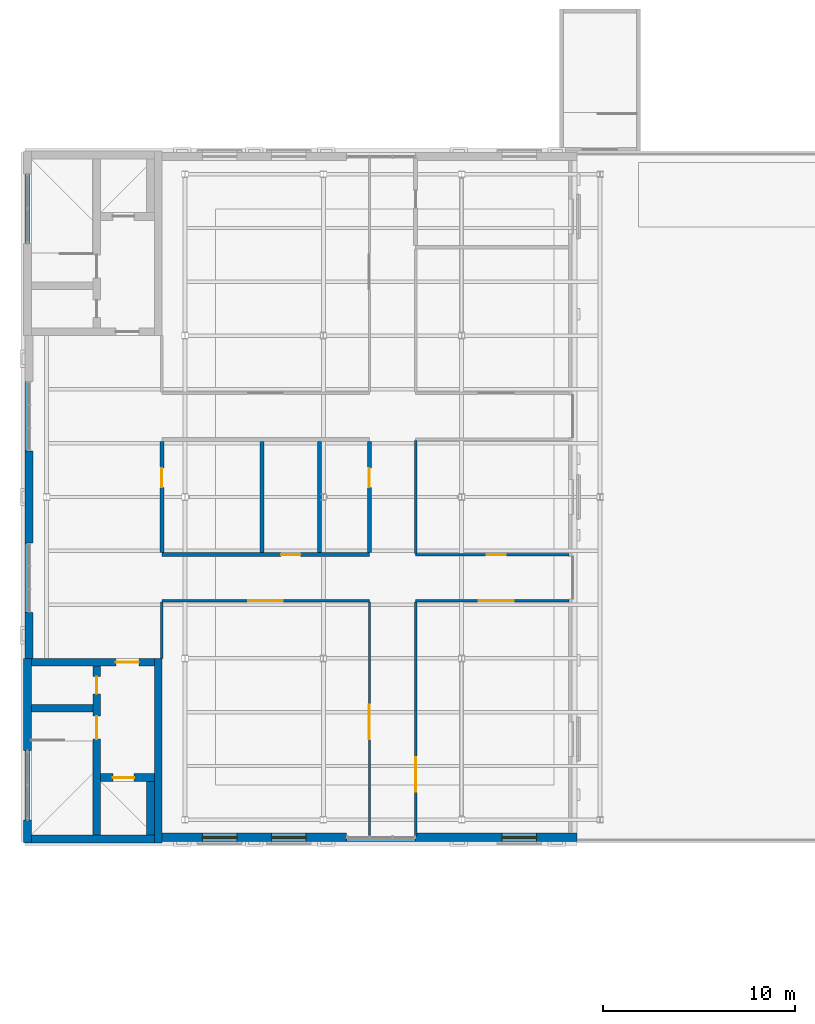
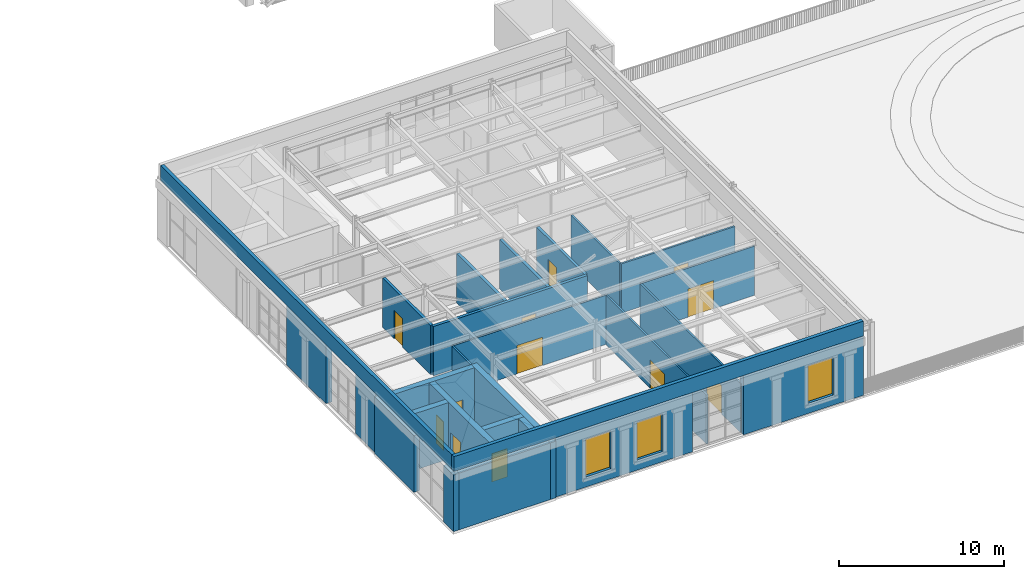
# One storey, part 71 of 127: 27 walls, 12 doors, 3 windows, 15 openings.
"""IFC4 building model written with IfcOpenShell, lengths in metres."""

from ifc_helpers import new_model, si_unit, direction, frame, frame_2d, origin, place, context, subcontext, project, spatial, rectangle, extrude, material, layer, layer_set, type_object, element, fill, save


model = new_model("IFC4")

# Units and contexts
model_context = context("Model", 3, precision=1e-05, world=origin(), true_north=direction((0.0, 1.0)))
body_context = subcontext(model_context, "Body", "Model", "MODEL_VIEW")
ifc_project = project(units=[si_unit("LENGTHUNIT", "METRE"), si_unit("AREAUNIT", "SQUARE_METRE"), si_unit("VOLUMEUNIT", "CUBIC_METRE"), si_unit("PLANEANGLEUNIT", "RADIAN"), si_unit("MASSUNIT", "GRAM", prefix="KILO")], contexts=[model_context])

# Site, building, storey
site_placement = place(None, origin())
site = spatial("IfcSite", under=ifc_project, at=site_placement, CompositionType="ELEMENT")
building_placement = place(site_placement, origin())
building = spatial("IfcBuilding", under=site, at=building_placement, Name="Verrick Yard Athletic Hall", CompositionType="ELEMENT")
storey_placement = place(building_placement, frame((0.0, 0.0, 14.0)))
storey = spatial("IfcBuildingStorey", under=building, at=storey_placement, Name="L03", CompositionType="ELEMENT", Elevation=14.0)

# Wall, openings, doors
ifc_material_1 = material(Name="Concrete 35 MPa", Category="concrete")
ifc_layer_1 = layer(ifc_material_1, 0.39990234375)
ifc_layer_set_1 = layer_set([ifc_layer_1], Name="Core wall CR400")
wall_type_1 = type_object("IfcWallType", Name="Core wall CR400", PredefinedType="SHEAR", material=ifc_layer_set_1)
wall_1_placement = place(storey_placement, frame((13.800048828125, 18.39990234375, 0.0), z_axis=(0.0, 0.0, 1.0), x_axis=(0.0, 1.0, 0.0)))
wall_1 = element("IfcWall", 1, at=wall_1_placement, inside=storey, type_object=wall_type_1, Name="CORE-CB1-WP-L03", PredefinedType="SHEAR", context=body_context, shape_type="SweptSolid", body=[
    extrude(rectangle(XDim=8.800048828125, YDim=0.39990234375, at=frame_2d((4.39990234375, 0.0))), origin(), (0.0, 0.0, 1.0), 4.199951171875),
])
opening_1_placement = place(wall_1_placement, frame((5.0, 0.0, 0.0)))
opening_1 = element("IfcOpeningElement", 2, at=opening_1_placement, cuts=wall_1, Name="Opening SD1", PredefinedType="OPENING", context=body_context, shape_type="SweptSolid", body=[
    extrude(rectangle(XDim=1.199951171875, YDim=2.10009765625, at=frame_2d((0.60009765625, 1.050048828125))), frame((0.0, 0.2099609375, 0.0), z_axis=(0.0, -1.0, 0.0), x_axis=(1.0, 0.0, 0.0)), (0.0, 0.0, 1.0), 0.419921875),
])
opening_2_placement = place(wall_1_placement, frame((7.35009765625, 0.0, 0.0)))
opening_2 = element("IfcOpeningElement", 3, at=opening_2_placement, cuts=wall_1, Name="Opening RD1", PredefinedType="OPENING", context=body_context, shape_type="SweptSolid", body=[
    extrude(rectangle(XDim=0.89990234375, YDim=2.10009765625, at=frame_2d((0.449951171875, 1.050048828125))), frame((0.0, 0.2099609375, 0.0), z_axis=(0.0, -1.0, 0.0), x_axis=(1.0, 0.0, 0.0)), (0.0, 0.0, 1.0), 0.419921875),
])
ifc_material_2 = material(Name="Hollow metal door leaf")
door_type_1 = type_object("IfcDoorType", Name="Core door RD1 900x2100", OperationType="NOTDEFINED", PredefinedType="DOOR", material=ifc_material_2)
door_1_placement = place(opening_2_placement, origin())
door_1 = element("IfcDoor", 4, at=door_1_placement, inside=storey, type_object=door_type_1, Name="CORE-CB1-WP-L03-DRD1-2620", OperationType="SINGLE_SWING_LEFT", OverallHeight=2.10009765625, OverallWidth=0.89990234375, PredefinedType="DOOR", context=body_context, shape_type="SweptSolid", body=[
    extrude(rectangle(XDim=0.89990234375, YDim=2.10009765625, at=frame_2d((0.449951171875, 1.050048828125))), frame((0.0, 0.02490234375, 0.0), z_axis=(0.0, -1.0, 0.0), x_axis=(1.0, 0.0, 0.0)), (0.0, 0.0, 1.0), 0.050048828125),
])
fill(opening_2, door_1)
door_type_2 = type_object("IfcDoorType", Name="Core door SD1 1200x2100", OperationType="NOTDEFINED", PredefinedType="DOOR", material=ifc_material_2)
door_2_placement = place(opening_1_placement, origin())
door_2 = element("IfcDoor", 5, at=door_2_placement, inside=storey, type_object=door_type_2, Name="CORE-CB1-WP-L03-DSD1-2400", OperationType="SINGLE_SWING_LEFT", OverallHeight=2.10009765625, OverallWidth=1.199951171875, PredefinedType="DOOR", context=body_context, shape_type="SweptSolid", body=[
    extrude(rectangle(XDim=1.199951171875, YDim=2.10009765625, at=frame_2d((0.60009765625, 1.050048828125))), frame((0.0, 0.02490234375, 0.0), z_axis=(0.0, -1.0, 0.0), x_axis=(1.0, 0.0, 0.0)), (0.0, 0.0, 1.0), 0.050048828125),
])
fill(opening_1, door_2)

# Wall
wall_2_placement = place(storey_placement, frame((10.39990234375, 25.0, 0.0), z_axis=(0.0, 0.0, 1.0), x_axis=(1.0, 0.0, 0.0)))
element("IfcWall", 6, at=wall_2_placement, inside=storey, type_object=wall_type_1, Name="CORE-CB1-WSN-L03", PredefinedType="SHEAR", context=body_context, shape_type="SweptSolid", body=[
    extrude(rectangle(XDim=3.2001953125, YDim=0.39990234375, at=frame_2d((1.60009765625, 0.0))), origin(), (0.0, 0.0, 1.0), 4.199951171875),
])

# Wall, opening, door
wall_3_placement = place(storey_placement, frame((14.0, 21.39990234375, 0.0), z_axis=(0.0, 0.0, 1.0), x_axis=(1.0, 0.0, 0.0)))
wall_3 = element("IfcWall", 7, at=wall_3_placement, inside=storey, type_object=wall_type_1, Name="CORE-CB1-WLN-L03", PredefinedType="SHEAR", context=body_context, shape_type="SweptSolid", body=[
    extrude(rectangle(XDim=2.800048828125, YDim=0.39990234375, at=frame_2d((1.39990234375, 0.0))), origin(), (0.0, 0.0, 1.0), 4.199951171875),
])
opening_3_placement = place(wall_3_placement, frame((0.64990234375, 0.0, 0.0)))
opening_3 = element("IfcOpeningElement", 8, at=opening_3_placement, cuts=wall_3, Name="Opening LD", PredefinedType="OPENING", context=body_context, shape_type="SweptSolid", body=[
    extrude(rectangle(XDim=1.10009765625, YDim=2.10009765625, at=frame_2d((0.550048828125, 1.050048828125))), frame((0.0, 0.2099609375, 0.0), z_axis=(0.0, -1.0, 0.0), x_axis=(1.0, 0.0, 0.0)), (0.0, 0.0, 1.0), 0.419921875),
])
ifc_material_3 = material(Name="Stainless steel landing door", Category="steel")
door_type_3 = type_object("IfcDoorType", Name="Lift landing door LD 1100x2100", OperationType="NOTDEFINED", PredefinedType="DOOR", material=ifc_material_3)
door_3_placement = place(opening_3_placement, origin())
door_3 = element("IfcDoor", 9, at=door_3_placement, inside=storey, type_object=door_type_3, Name="Lift landing door", OperationType="SLIDING_TO_LEFT", OverallHeight=2.10009765625, OverallWidth=1.10009765625, PredefinedType="DOOR", context=body_context, shape_type="SweptSolid", body=[
    extrude(rectangle(XDim=1.10009765625, YDim=2.10009765625, at=frame_2d((0.550048828125, 1.050048828125))), frame((0.0, 0.02490234375, 0.0), z_axis=(0.0, -1.0, 0.0), x_axis=(1.0, 0.0, 0.0)), (0.0, 0.0, 1.0), 0.050048828125),
])
fill(opening_3, door_3)

# Walls
wall_4_placement = place(storey_placement, frame((16.60009765625, 18.39990234375, 0.0), z_axis=(0.0, 0.0, 1.0), x_axis=(0.0, 1.0, 0.0)))
element("IfcWall", 10, at=wall_4_placement, inside=storey, type_object=wall_type_1, Name="CORE-CB1-WLE-L03", PredefinedType="SHEAR", context=body_context, shape_type="SweptSolid", body=[
    extrude(rectangle(XDim=2.800048828125, YDim=0.39990234375, at=frame_2d((1.39990234375, 0.0))), origin(), (0.0, 0.0, 1.0), 4.199951171875),
])
ifc_layer_2 = layer(ifc_material_1, 0.39990234375)
ifc_layer_set_2 = layer_set([ifc_layer_2], Name="External core wall CR400")
wall_type_2 = type_object("IfcWallType", Name="External core wall CR400", PredefinedType="SHEAR", material=ifc_layer_set_2)
wall_5_placement = place(storey_placement, frame((10.199951171875, 18.0, 0.0), z_axis=(0.0, 0.0, 1.0), x_axis=(0.0, 1.0, 0.0)))
element("IfcWall", 11, at=wall_5_placement, inside=storey, type_object=wall_type_2, Name="CORE-CB1-WW-L03-0", PredefinedType="SHEAR", context=body_context, shape_type="SweptSolid", body=[
    extrude(rectangle(XDim=1.199951171875, YDim=0.39990234375, at=frame_2d((0.60009765625, 0.0))), origin(), (0.0, 0.0, 1.0), 4.199951171875),
])
wall_6_placement = place(storey_placement, frame((10.199951171875, 22.800048828125, 0.0), z_axis=(0.0, 0.0, 1.0), x_axis=(0.0, 1.0, 0.0)))
element("IfcWall", 12, at=wall_6_placement, inside=storey, type_object=wall_type_2, Name="CORE-CB1-WW-L03-1", PredefinedType="SHEAR", context=body_context, shape_type="SweptSolid", body=[
    extrude(rectangle(XDim=4.800048828125, YDim=0.39990234375, at=frame_2d((2.39990234375, 0.0))), origin(), (0.0, 0.0, 1.0), 4.199951171875),
])
wall_7_placement = place(storey_placement, frame((17.0, 18.0, 0.0), z_axis=(0.0, 0.0, 1.0), x_axis=(0.0, 1.0, 0.0)))
element("IfcWall", 13, at=wall_7_placement, inside=storey, type_object=wall_type_2, Name="CORE-CB1-WE-L03", PredefinedType="SHEAR", context=body_context, shape_type="SweptSolid", body=[
    extrude(rectangle(XDim=9.60009765625, YDim=0.39990234375, at=frame_2d((4.800048828125, 0.0))), origin(), (0.0, 0.0, 1.0), 4.199951171875),
])
wall_8_placement = place(storey_placement, frame((10.39990234375, 18.199951171875, 0.0), z_axis=(0.0, 0.0, 1.0), x_axis=(1.0, 0.0, 0.0)))
element("IfcWall", 14, at=wall_8_placement, inside=storey, type_object=wall_type_2, Name="CORE-CB1-WS-L03", PredefinedType="SHEAR", context=body_context, shape_type="SweptSolid", body=[
    extrude(rectangle(XDim=6.400146484375, YDim=0.39990234375, at=frame_2d((3.2001953125, 0.0))), origin(), (0.0, 0.0, 1.0), 4.199951171875),
])

# Wall, opening, door
wall_9_placement = place(storey_placement, frame((10.39990234375, 27.39990234375, 0.0), z_axis=(0.0, 0.0, 1.0), x_axis=(1.0, 0.0, 0.0)))
wall_9 = element("IfcWall", 15, at=wall_9_placement, inside=storey, type_object=wall_type_2, Name="CORE-CB1-WN-L03", PredefinedType="SHEAR", context=body_context, shape_type="SweptSolid", body=[
    extrude(rectangle(XDim=6.400146484375, YDim=0.39990234375, at=frame_2d((3.2001953125, 0.0))), origin(), (0.0, 0.0, 1.0), 4.199951171875),
])
opening_4_placement = place(wall_9_placement, frame((4.39990234375, 0.0, 0.0)))
opening_4 = element("IfcOpeningElement", 16, at=opening_4_placement, cuts=wall_9, Name="Opening LB1", PredefinedType="OPENING", context=body_context, shape_type="SweptSolid", body=[
    extrude(rectangle(XDim=1.199951171875, YDim=2.10009765625, at=frame_2d((0.60009765625, 1.050048828125))), frame((0.0, 0.2099609375, 0.0), z_axis=(0.0, -1.0, 0.0), x_axis=(1.0, 0.0, 0.0)), (0.0, 0.0, 1.0), 0.419921875),
])
door_type_4 = type_object("IfcDoorType", Name="Core door LB1 1200x2100", OperationType="NOTDEFINED", PredefinedType="DOOR", material=ifc_material_2)
door_4_placement = place(opening_4_placement, origin())
door_4 = element("IfcDoor", 17, at=door_4_placement, inside=storey, type_object=door_type_4, Name="CORE-CB1-WN-L03-DLB1-1540", OperationType="SINGLE_SWING_LEFT", OverallHeight=2.10009765625, OverallWidth=1.199951171875, PredefinedType="DOOR", context=body_context, shape_type="SweptSolid", body=[
    extrude(rectangle(XDim=1.199951171875, YDim=2.10009765625, at=frame_2d((0.60009765625, 1.050048828125))), frame((0.0, 0.02490234375, 0.0), z_axis=(0.0, -1.0, 0.0), x_axis=(1.0, 0.0, 0.0)), (0.0, 0.0, 1.0), 0.050048828125),
])
fill(opening_4, door_4)

ifc_material_4 = material(Name="Concrete masonry block 15 MPa", Category="masonry")
ifc_layer_3 = layer(ifc_material_4, 0.199951171875)
ifc_layer_set_3 = layer_set([ifc_layer_3], Name="PW1 Block partition 200")
wall_type_3 = type_object("IfcWallType", Name="PW1 Block partition 200", PredefinedType="PARTITIONING", material=ifc_layer_set_3)
wall_10_placement = place(storey_placement, frame((17.199951171875, 33.0, 0.0), z_axis=(0.0, 0.0, 1.0), x_axis=(1.0, 0.0, 0.0)))
wall_10 = element("IfcWall", 18, at=wall_10_placement, inside=storey, type_object=wall_type_3, Name="Partition PW1", PredefinedType="PARTITIONING", context=body_context, shape_type="SweptSolid", body=[
    extrude(rectangle(XDim=10.800048828125, YDim=0.199951171875, at=frame_2d((5.39990234375, 0.0))), origin(), (0.0, 0.0, 1.0), 3.64990234375),
])
opening_5_placement = place(wall_10_placement, frame((6.199951171875, 0.0, 0.0)))
opening_5 = element("IfcOpeningElement", 19, at=opening_5_placement, cuts=wall_10, Name="Opening D1", PredefinedType="OPENING", context=body_context, shape_type="SweptSolid", body=[
    extrude(rectangle(XDim=1.0, YDim=2.10009765625, at=frame_2d((0.5, 1.050048828125))), frame((0.0, 0.10986328125, 0.0), z_axis=(0.0, -1.0, 0.0), x_axis=(1.0, 0.0, 0.0)), (0.0, 0.0, 1.0), 0.219970703125),
])
ifc_material_5 = material(Name="Timber door leaf in steel frame", Category="steel")
door_type_5 = type_object("IfcDoorType", Name="D1 Single door 1000 x 2100", OperationType="NOTDEFINED", PredefinedType="DOOR", material=ifc_material_5)
door_5_placement = place(opening_5_placement, origin())
door_5 = element("IfcDoor", 20, at=door_5_placement, inside=storey, type_object=door_type_5, Name="D1 Accessible WC", OperationType="SINGLE_SWING_LEFT", OverallHeight=2.10009765625, OverallWidth=1.0, PredefinedType="DOOR", context=body_context, shape_type="SweptSolid", body=[
    extrude(rectangle(XDim=1.0, YDim=2.10009765625, at=frame_2d((0.5, 1.050048828125))), frame((0.0, 0.02490234375, 0.0), z_axis=(0.0, -1.0, 0.0), x_axis=(1.0, 0.0, 0.0)), (0.0, 0.0, 1.0), 0.050048828125),
])
fill(opening_5, door_5)

wall_11_placement = place(storey_placement, frame((17.199951171875, 33.10009765625, 0.0), z_axis=(0.0, 0.0, 1.0), x_axis=(0.0, 1.0, 0.0)))
wall_11 = element("IfcWall", 21, at=wall_11_placement, inside=storey, type_object=wall_type_3, Name="Partition PW1", PredefinedType="PARTITIONING", context=body_context, shape_type="SweptSolid", body=[
    extrude(rectangle(XDim=5.7998046875, YDim=0.199951171875, at=frame_2d((2.89990234375, 0.0))), origin(), (0.0, 0.0, 1.0), 3.64990234375),
])
opening_6_placement = place(wall_11_placement, frame((3.39990234375, 0.0, 0.0)))
opening_6 = element("IfcOpeningElement", 22, at=opening_6_placement, cuts=wall_11, Name="Opening D1", PredefinedType="OPENING", context=body_context, shape_type="SweptSolid", body=[
    extrude(rectangle(XDim=1.0, YDim=2.10009765625, at=frame_2d((0.5, 1.050048828125))), frame((0.0, 0.10986328125, 0.0), z_axis=(0.0, -1.0, 0.0), x_axis=(1.0, 0.0, 0.0)), (0.0, 0.0, 1.0), 0.219970703125),
])
door_6_placement = place(opening_6_placement, origin())
door_6 = element("IfcDoor", 23, at=door_6_placement, inside=storey, type_object=door_type_5, Name="D1 WC Women", OperationType="SINGLE_SWING_RIGHT", OverallHeight=2.10009765625, OverallWidth=1.0, PredefinedType="DOOR", context=body_context, shape_type="SweptSolid", body=[
    extrude(rectangle(XDim=1.0, YDim=2.10009765625, at=frame_2d((0.5, 1.050048828125))), frame((0.0, 0.02490234375, 0.0), z_axis=(0.0, -1.0, 0.0), x_axis=(1.0, 0.0, 0.0)), (0.0, 0.0, 1.0), 0.050048828125),
])
fill(opening_6, door_6)

# Walls
for number, where, z_axis, x_axis, name in (
    (24, (22.39990234375, 33.10009765625, 0.0), (0.0, 0.0, 1.0), (0.0, 1.0, 0.0), "Partition PW1"),
    (25, (25.39990234375, 33.10009765625, 0.0), (0.0, 0.0, 1.0), (0.0, 1.0, 0.0), "Partition PW1"),
):
    element("IfcWall", number, at=place(storey_placement, frame(where, z_axis=z_axis, x_axis=x_axis)), inside=storey, type_object=wall_type_3, Name=name, PredefinedType="PARTITIONING", context=body_context, shape_type="SweptSolid", body=[
        extrude(rectangle(XDim=5.7998046875, YDim=0.199951171875, at=frame_2d((2.89990234375, 0.0))), origin(), (0.0, 0.0, 1.0), 3.64990234375),
    ])

# Wall, opening, door
wall_12_placement = place(storey_placement, frame((28.0, 33.10009765625, 0.0), z_axis=(0.0, 0.0, 1.0), x_axis=(0.0, 1.0, 0.0)))
wall_12 = element("IfcWall", 26, at=wall_12_placement, inside=storey, type_object=wall_type_3, Name="Partition PW1", PredefinedType="PARTITIONING", context=body_context, shape_type="SweptSolid", body=[
    extrude(rectangle(XDim=5.7998046875, YDim=0.199951171875, at=frame_2d((2.89990234375, 0.0))), origin(), (0.0, 0.0, 1.0), 3.64990234375),
])
opening_7_placement = place(wall_12_placement, frame((3.39990234375, 0.0, 0.0)))
opening_7 = element("IfcOpeningElement", 27, at=opening_7_placement, cuts=wall_12, Name="Opening D1", PredefinedType="OPENING", context=body_context, shape_type="SweptSolid", body=[
    extrude(rectangle(XDim=1.0, YDim=2.10009765625, at=frame_2d((0.5, 1.050048828125))), frame((0.0, 0.10986328125, 0.0), z_axis=(0.0, -1.0, 0.0), x_axis=(1.0, 0.0, 0.0)), (0.0, 0.0, 1.0), 0.219970703125),
])
door_7_placement = place(opening_7_placement, origin())
door_7 = element("IfcDoor", 28, at=door_7_placement, inside=storey, type_object=door_type_5, Name="D1 WC Men", OperationType="SINGLE_SWING_RIGHT", OverallHeight=2.10009765625, OverallWidth=1.0, PredefinedType="DOOR", context=body_context, shape_type="SweptSolid", body=[
    extrude(rectangle(XDim=1.0, YDim=2.10009765625, at=frame_2d((0.5, 1.050048828125))), frame((0.0, 0.02490234375, 0.0), z_axis=(0.0, -1.0, 0.0), x_axis=(1.0, 0.0, 0.0)), (0.0, 0.0, 1.0), 0.050048828125),
])
fill(opening_7, door_7)

ifc_material_6 = material(Name="Gypsum plasterboard on light-gauge studs")
ifc_layer_4 = layer(ifc_material_6, 0.125)
ifc_layer_set_4 = layer_set([ifc_layer_4], Name="PW2 Stud partition 125")
wall_type_4 = type_object("IfcWallType", Name="PW2 Stud partition 125", PredefinedType="PARTITIONING", material=ifc_layer_set_4)
wall_13_placement = place(storey_placement, frame((17.199951171875, 30.60009765625, 0.0), z_axis=(0.0, 0.0, 1.0), x_axis=(1.0, 0.0, 0.0)))
wall_13 = element("IfcWall", 29, at=wall_13_placement, inside=storey, type_object=wall_type_4, Name="Partition PW2", PredefinedType="PARTITIONING", context=body_context, shape_type="SweptSolid", body=[
    extrude(rectangle(XDim=10.800048828125, YDim=0.125, at=frame_2d((5.39990234375, 0.0))), origin(), (0.0, 0.0, 1.0), 3.64990234375),
])
opening_8_placement = place(wall_13_placement, frame((4.5, 0.0, 0.0)))
opening_8 = element("IfcOpeningElement", 30, at=opening_8_placement, cuts=wall_13, Name="Opening D3", PredefinedType="OPENING", context=body_context, shape_type="SweptSolid", body=[
    extrude(rectangle(XDim=1.800048828125, YDim=2.10009765625, at=frame_2d((0.89990234375, 1.050048828125))), frame((0.0, 0.072509765625, 0.0), z_axis=(0.0, -1.0, 0.0), x_axis=(1.0, 0.0, 0.0)), (0.0, 0.0, 1.0), 0.14501953125),
])
door_type_6 = type_object("IfcDoorType", Name="D3 Double door 1800 x 2100", OperationType="NOTDEFINED", PredefinedType="DOOR", material=ifc_material_5)
door_8_placement = place(opening_8_placement, origin())
door_8 = element("IfcDoor", 31, at=door_8_placement, inside=storey, type_object=door_type_6, Name="D3 Weights Room", OperationType="DOUBLE_DOOR_SINGLE_SWING", OverallHeight=2.10009765625, OverallWidth=1.800048828125, PredefinedType="DOOR", context=body_context, shape_type="SweptSolid", body=[
    extrude(rectangle(XDim=1.800048828125, YDim=2.10009765625, at=frame_2d((0.89990234375, 1.050048828125))), frame((0.0, 0.02490234375, 0.0), z_axis=(0.0, -1.0, 0.0), x_axis=(1.0, 0.0, 0.0)), (0.0, 0.0, 1.0), 0.050048828125),
])
fill(opening_8, door_8)

wall_14_placement = place(storey_placement, frame((30.39990234375, 30.60009765625, 0.0), z_axis=(0.0, 0.0, 1.0), x_axis=(1.0, 0.0, 0.0)))
wall_14 = element("IfcWall", 32, at=wall_14_placement, inside=storey, type_object=wall_type_4, Name="Partition PW2", PredefinedType="PARTITIONING", context=body_context, shape_type="SweptSolid", body=[
    extrude(rectangle(XDim=7.97265625, YDim=0.125, at=frame_2d((3.986328125, 0.0))), origin(), (0.0, 0.0, 1.0), 3.64990234375),
])
opening_9_placement = place(wall_14_placement, frame((3.300048828125, 0.0, 0.0)))
opening_9 = element("IfcOpeningElement", 33, at=opening_9_placement, cuts=wall_14, Name="Opening D3", PredefinedType="OPENING", context=body_context, shape_type="SweptSolid", body=[
    extrude(rectangle(XDim=1.800048828125, YDim=2.10009765625, at=frame_2d((0.89990234375, 1.050048828125))), frame((0.0, 0.072509765625, 0.0), z_axis=(0.0, -1.0, 0.0), x_axis=(1.0, 0.0, 0.0)), (0.0, 0.0, 1.0), 0.14501953125),
])
door_9_placement = place(opening_9_placement, origin())
door_9 = element("IfcDoor", 34, at=door_9_placement, inside=storey, type_object=door_type_6, Name="D3 Gym", OperationType="DOUBLE_DOOR_SINGLE_SWING", OverallHeight=2.10009765625, OverallWidth=1.800048828125, PredefinedType="DOOR", context=body_context, shape_type="SweptSolid", body=[
    extrude(rectangle(XDim=1.800048828125, YDim=2.10009765625, at=frame_2d((0.89990234375, 1.050048828125))), frame((0.0, 0.02490234375, 0.0), z_axis=(0.0, -1.0, 0.0), x_axis=(1.0, 0.0, 0.0)), (0.0, 0.0, 1.0), 0.050048828125),
])
fill(opening_9, door_9)

wall_15_placement = place(storey_placement, frame((30.39990234375, 33.0, 0.0), z_axis=(0.0, 0.0, 1.0), x_axis=(1.0, 0.0, 0.0)))
wall_15 = element("IfcWall", 35, at=wall_15_placement, inside=storey, type_object=wall_type_4, Name="Partition PW2", PredefinedType="PARTITIONING", context=body_context, shape_type="SweptSolid", body=[
    extrude(rectangle(XDim=7.97265625, YDim=0.125, at=frame_2d((3.986328125, 0.0))), origin(), (0.0, 0.0, 1.0), 3.64990234375),
])
opening_10_placement = place(wall_15_placement, frame((3.699951171875, 0.0, 0.0)))
opening_10 = element("IfcOpeningElement", 36, at=opening_10_placement, cuts=wall_15, Name="Opening D1", PredefinedType="OPENING", context=body_context, shape_type="SweptSolid", body=[
    extrude(rectangle(XDim=1.0, YDim=2.10009765625, at=frame_2d((0.5, 1.050048828125))), frame((0.0, 0.072509765625, 0.0), z_axis=(0.0, -1.0, 0.0), x_axis=(1.0, 0.0, 0.0)), (0.0, 0.0, 1.0), 0.14501953125),
])
door_10_placement = place(opening_10_placement, origin())
door_10 = element("IfcDoor", 37, at=door_10_placement, inside=storey, type_object=door_type_5, Name="D1 Gym Reception", OperationType="SINGLE_SWING_LEFT", OverallHeight=2.10009765625, OverallWidth=1.0, PredefinedType="DOOR", context=body_context, shape_type="SweptSolid", body=[
    extrude(rectangle(XDim=1.0, YDim=2.10009765625, at=frame_2d((0.5, 1.050048828125))), frame((0.0, 0.02490234375, 0.0), z_axis=(0.0, -1.0, 0.0), x_axis=(1.0, 0.0, 0.0)), (0.0, 0.0, 1.0), 0.050048828125),
])
fill(opening_10, door_10)

# Wall
wall_16_placement = place(storey_placement, frame((17.199951171875, 27.60009765625, 0.0), z_axis=(0.0, 0.0, 1.0), x_axis=(0.0, 1.0, 0.0)))
element("IfcWall", 38, at=wall_16_placement, inside=storey, type_object=wall_type_4, Name="Partition PW2", PredefinedType="PARTITIONING", context=body_context, shape_type="SweptSolid", body=[
    extrude(rectangle(XDim=2.9375, YDim=0.125, at=frame_2d((1.46875, 0.0))), origin(), (0.0, 0.0, 1.0), 3.64990234375),
])

# Wall, opening, door
wall_17_placement = place(storey_placement, frame((28.0, 18.351318359375, 0.0), z_axis=(0.0, 0.0, 1.0), x_axis=(0.0, 1.0, 0.0)))
wall_17 = element("IfcWall", 39, at=wall_17_placement, inside=storey, type_object=wall_type_4, Name="Partition PW2", PredefinedType="PARTITIONING", context=body_context, shape_type="SweptSolid", body=[
    extrude(rectangle(XDim=12.186279296875, YDim=0.125, at=frame_2d((6.09326171875, 0.0))), origin(), (0.0, 0.0, 1.0), 3.64990234375),
])
opening_11_placement = place(wall_17_placement, frame((5.049072265625, 0.0, 0.0)))
opening_11 = element("IfcOpeningElement", 40, at=opening_11_placement, cuts=wall_17, Name="Opening D3", PredefinedType="OPENING", context=body_context, shape_type="SweptSolid", body=[
    extrude(rectangle(XDim=1.800048828125, YDim=2.10009765625, at=frame_2d((0.89990234375, 1.050048828125))), frame((0.0, 0.072509765625, 0.0), z_axis=(0.0, -1.0, 0.0), x_axis=(1.0, 0.0, 0.0)), (0.0, 0.0, 1.0), 0.14501953125),
])
door_11_placement = place(opening_11_placement, origin())
door_11 = element("IfcDoor", 41, at=door_11_placement, inside=storey, type_object=door_type_6, Name="D3 Weights Room", OperationType="DOUBLE_DOOR_SINGLE_SWING", OverallHeight=2.10009765625, OverallWidth=1.800048828125, PredefinedType="DOOR", context=body_context, shape_type="SweptSolid", body=[
    extrude(rectangle(XDim=1.800048828125, YDim=2.10009765625, at=frame_2d((0.89990234375, 1.050048828125))), frame((0.0, 0.02490234375, 0.0), z_axis=(0.0, -1.0, 0.0), x_axis=(1.0, 0.0, 0.0)), (0.0, 0.0, 1.0), 0.050048828125),
])
fill(opening_11, door_11)

wall_18_placement = place(storey_placement, frame((30.39990234375, 18.351318359375, 0.0), z_axis=(0.0, 0.0, 1.0), x_axis=(0.0, 1.0, 0.0)))
wall_18 = element("IfcWall", 42, at=wall_18_placement, inside=storey, type_object=wall_type_4, Name="Partition PW2", PredefinedType="PARTITIONING", context=body_context, shape_type="SweptSolid", body=[
    extrude(rectangle(XDim=12.186279296875, YDim=0.125, at=frame_2d((6.09326171875, 0.0))), origin(), (0.0, 0.0, 1.0), 3.64990234375),
])
opening_12_placement = place(wall_18_placement, frame((2.299072265625, 0.0, 0.0)))
opening_12 = element("IfcOpeningElement", 43, at=opening_12_placement, cuts=wall_18, Name="Opening D3", PredefinedType="OPENING", context=body_context, shape_type="SweptSolid", body=[
    extrude(rectangle(XDim=1.800048828125, YDim=2.10009765625, at=frame_2d((0.89990234375, 1.050048828125))), frame((0.0, 0.072509765625, 0.0), z_axis=(0.0, -1.0, 0.0), x_axis=(1.0, 0.0, 0.0)), (0.0, 0.0, 1.0), 0.14501953125),
])
door_12_placement = place(opening_12_placement, origin())
door_12 = element("IfcDoor", 44, at=door_12_placement, inside=storey, type_object=door_type_6, Name="D3 Gym", OperationType="DOUBLE_DOOR_SINGLE_SWING", OverallHeight=2.10009765625, OverallWidth=1.800048828125, PredefinedType="DOOR", context=body_context, shape_type="SweptSolid", body=[
    extrude(rectangle(XDim=1.800048828125, YDim=2.10009765625, at=frame_2d((0.89990234375, 1.050048828125))), frame((0.0, 0.02490234375, 0.0), z_axis=(0.0, -1.0, 0.0), x_axis=(1.0, 0.0, 0.0)), (0.0, 0.0, 1.0), 0.050048828125),
])
fill(opening_12, door_12)

# Walls
wall_19_placement = place(storey_placement, frame((30.39990234375, 33.0625, 0.0), z_axis=(0.0, 0.0, 1.0), x_axis=(0.0, 1.0, 0.0)))
element("IfcWall", 45, at=wall_19_placement, inside=storey, type_object=wall_type_4, Name="Partition PW2", PredefinedType="PARTITIONING", context=body_context, shape_type="SweptSolid", body=[
    extrude(rectangle(XDim=5.875, YDim=0.125, at=frame_2d((2.9375, 0.0))), origin(), (0.0, 0.0, 1.0), 3.64990234375),
])
ifc_material_7 = material(Name="Tyndall-stone-look precast cladding", Category="masonry")
ifc_layer_5 = layer(ifc_material_7, 0.0625, Name="Tyndall-stone-look precast cladding")
ifc_layer_6 = layer(ifc_material_1, 0.1875, Name="Concrete 35 MPa")
ifc_layer_set_5 = layer_set([ifc_layer_5, ifc_layer_6], Name="Parapet wall")
wall_type_5 = type_object("IfcWallType", Name="Parapet wall", PredefinedType="PARAPET", material=ifc_layer_set_5)
wall_20_placement = place(storey_placement, frame((10.0625, 18.1875, 4.39990234375), z_axis=(0.0, 0.0, 1.0), x_axis=(1.0, 0.0, 0.0)))
element("IfcWall", 46, at=wall_20_placement, inside=storey, type_object=wall_type_5, Name="ENVB-WP-S", PredefinedType="PARAPET", context=body_context, shape_type="SweptSolid", body=[
    extrude(rectangle(XDim=28.737548828125, YDim=0.25, at=frame_2d((14.36865234375, 0.0))), origin(), (0.0, 0.0, 1.0), 1.10009765625),
])
wall_21_placement = place(storey_placement, frame((10.1875, 18.3125, 4.39990234375), z_axis=(0.0, 0.0, 1.0), x_axis=(0.0, 1.0, 0.0)))
element("IfcWall", 47, at=wall_21_placement, inside=storey, type_object=wall_type_5, Name="ENVB-WP-W", PredefinedType="PARAPET", context=body_context, shape_type="SweptSolid", body=[
    extrude(rectangle(XDim=35.375, YDim=0.25, at=frame_2d((17.6875, 0.0))), origin(), (0.0, 0.0, 1.0), 1.10009765625),
])

# Wall, openings, windows
ifc_material_8 = material(Name="Clay face brick, red-brown", Category="masonry")
ifc_layer_7 = layer(ifc_material_8, 0.0625, Name="Clay face brick, red-brown")
ifc_material_9 = material(Name="Mineral wool insulation")
ifc_layer_8 = layer(ifc_material_9, 0.125, Name="Mineral wool insulation")
ifc_layer_9 = layer(ifc_material_1, 0.25, Name="Concrete 35 MPa")
ifc_layer_set_6 = layer_set([ifc_layer_7, ifc_layer_8, ifc_layer_9], Name="Wing upper wall")
wall_type_6 = type_object("IfcWallType", Name="Wing upper wall", PredefinedType="SOLIDWALL", material=ifc_layer_set_6)
wall_22_placement = place(storey_placement, frame((17.199951171875, 18.28125, 0.0), z_axis=(0.0, 0.0, 1.0), x_axis=(1.0, 0.0, 0.0)))
wall_22 = element("IfcWall", 48, at=wall_22_placement, inside=storey, type_object=wall_type_6, Name="ENVB-WS-L03-1", PredefinedType="SOLIDWALL", context=body_context, shape_type="SweptSolid", body=[
    extrude(rectangle(XDim=9.60009765625, YDim=0.4375, at=frame_2d((4.800048828125, 0.0))), origin(), (0.0, 0.0, 1.0), 4.39990234375),
])
opening_13_placement = place(wall_22_placement, frame((2.10009765625, 0.0, 0.75)))
opening_13 = element("IfcOpeningElement", 49, at=opening_13_placement, cuts=wall_22, Name="Opening W22", PredefinedType="OPENING", context=body_context, shape_type="SweptSolid", body=[
    extrude(rectangle(XDim=1.800048828125, YDim=2.800048828125, at=frame_2d((0.89990234375, 1.39990234375))), frame((0.0, 0.228759765625, 0.0), z_axis=(0.0, -1.0, 0.0), x_axis=(1.0, 0.0, 0.0)), (0.0, 0.0, 1.0), 0.45751953125),
])
opening_14_placement = place(wall_22_placement, frame((5.699951171875, 0.0, 0.75)))
opening_14 = element("IfcOpeningElement", 50, at=opening_14_placement, cuts=wall_22, Name="Opening W22", PredefinedType="OPENING", context=body_context, shape_type="SweptSolid", body=[
    extrude(rectangle(XDim=1.800048828125, YDim=2.800048828125, at=frame_2d((0.89990234375, 1.39990234375))), frame((0.0, 0.228759765625, 0.0), z_axis=(0.0, -1.0, 0.0), x_axis=(1.0, 0.0, 0.0)), (0.0, 0.0, 1.0), 0.45751953125),
])
ifc_material_10 = material(Name="Anodised aluminium frame with insulated glazing", Category="aluminium")
window_type = type_object("IfcWindowType", Name="Wing window 1800x2800", PartitioningType="NOTDEFINED", PredefinedType="WINDOW", material=ifc_material_10)
window_1_placement = place(opening_13_placement, origin())
window_1 = element("IfcWindow", 51, at=window_1_placement, inside=storey, type_object=window_type, Name="ENVB-WS-L03-1-W202", OverallHeight=2.800048828125, OverallWidth=1.800048828125, PartitioningType="SINGLE_PANEL", PredefinedType="WINDOW", context=body_context, shape_type="SweptSolid", body=[
    extrude(rectangle(XDim=1.800048828125, YDim=2.800048828125, at=frame_2d((0.89990234375, 1.39990234375))), frame((0.0, 0.030029296875, 0.0), z_axis=(0.0, -1.0, 0.0), x_axis=(1.0, 0.0, 0.0)), (0.0, 0.0, 1.0), 0.06005859375),
])
fill(opening_13, window_1)
window_2_placement = place(opening_14_placement, origin())
window_2 = element("IfcWindow", 52, at=window_2_placement, inside=storey, type_object=window_type, Name="ENVB-WS-L03-1-W238", OverallHeight=2.800048828125, OverallWidth=1.800048828125, PartitioningType="SINGLE_PANEL", PredefinedType="WINDOW", context=body_context, shape_type="SweptSolid", body=[
    extrude(rectangle(XDim=1.800048828125, YDim=2.800048828125, at=frame_2d((0.89990234375, 1.39990234375))), frame((0.0, 0.030029296875, 0.0), z_axis=(0.0, -1.0, 0.0), x_axis=(1.0, 0.0, 0.0)), (0.0, 0.0, 1.0), 0.06005859375),
])
fill(opening_14, window_2)

# Wall, opening, window
wall_23_placement = place(storey_placement, frame((30.39990234375, 18.28125, 0.0), z_axis=(0.0, 0.0, 1.0), x_axis=(1.0, 0.0, 0.0)))
wall_23 = element("IfcWall", 53, at=wall_23_placement, inside=storey, type_object=wall_type_6, Name="ENVB-WS-L03-2", PredefinedType="SOLIDWALL", context=body_context, shape_type="SweptSolid", body=[
    extrude(rectangle(XDim=8.400146484375, YDim=0.4375, at=frame_2d((4.2001953125, 0.0))), origin(), (0.0, 0.0, 1.0), 4.39990234375),
])
opening_15_placement = place(wall_23_placement, frame((4.5, 0.0, 0.75)))
opening_15 = element("IfcOpeningElement", 54, at=opening_15_placement, cuts=wall_23, Name="Opening W22", PredefinedType="OPENING", context=body_context, shape_type="SweptSolid", body=[
    extrude(rectangle(XDim=1.800048828125, YDim=2.800048828125, at=frame_2d((0.89990234375, 1.39990234375))), frame((0.0, 0.228759765625, 0.0), z_axis=(0.0, -1.0, 0.0), x_axis=(1.0, 0.0, 0.0)), (0.0, 0.0, 1.0), 0.45751953125),
])
window_3_placement = place(opening_15_placement, origin())
window_3 = element("IfcWindow", 55, at=window_3_placement, inside=storey, type_object=window_type, Name="ENVB-WS-L03-2-W358", OverallHeight=2.800048828125, OverallWidth=1.800048828125, PartitioningType="SINGLE_PANEL", PredefinedType="WINDOW", context=body_context, shape_type="SweptSolid", body=[
    extrude(rectangle(XDim=1.800048828125, YDim=2.800048828125, at=frame_2d((0.89990234375, 1.39990234375))), frame((0.0, 0.030029296875, 0.0), z_axis=(0.0, -1.0, 0.0), x_axis=(1.0, 0.0, 0.0)), (0.0, 0.0, 1.0), 0.06005859375),
])
fill(opening_15, window_3)

# Walls
wall_24_placement = place(storey_placement, frame((10.28125, 27.60009765625, 0.0), z_axis=(0.0, 0.0, 1.0), x_axis=(0.0, 1.0, 0.0)))
element("IfcWall", 56, at=wall_24_placement, inside=storey, type_object=wall_type_6, Name="ENVB-WW-L03-1", PredefinedType="SOLIDWALL", context=body_context, shape_type="SweptSolid", body=[
    extrude(rectangle(XDim=2.39990234375, YDim=0.4375, at=frame_2d((1.199951171875, 0.0))), origin(), (0.0, 0.0, 1.0), 4.39990234375),
])
wall_25_placement = place(storey_placement, frame((10.28125, 33.60009765625, 0.0), z_axis=(0.0, 0.0, 1.0), x_axis=(0.0, 1.0, 0.0)))
element("IfcWall", 57, at=wall_25_placement, inside=storey, type_object=wall_type_6, Name="ENVB-WW-L03-2", PredefinedType="SOLIDWALL", context=body_context, shape_type="SweptSolid", body=[
    extrude(rectangle(XDim=4.7998046875, YDim=0.4375, at=frame_2d((2.39990234375, 0.0))), origin(), (0.0, 0.0, 1.0), 4.39990234375),
])

save(model, "model.ifc")
